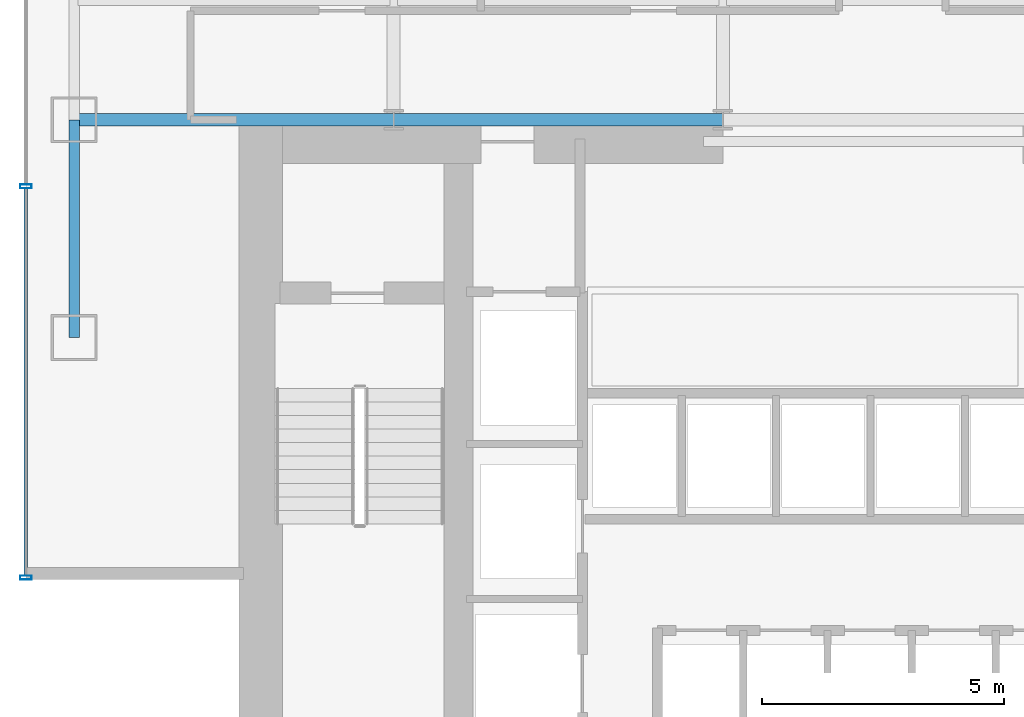
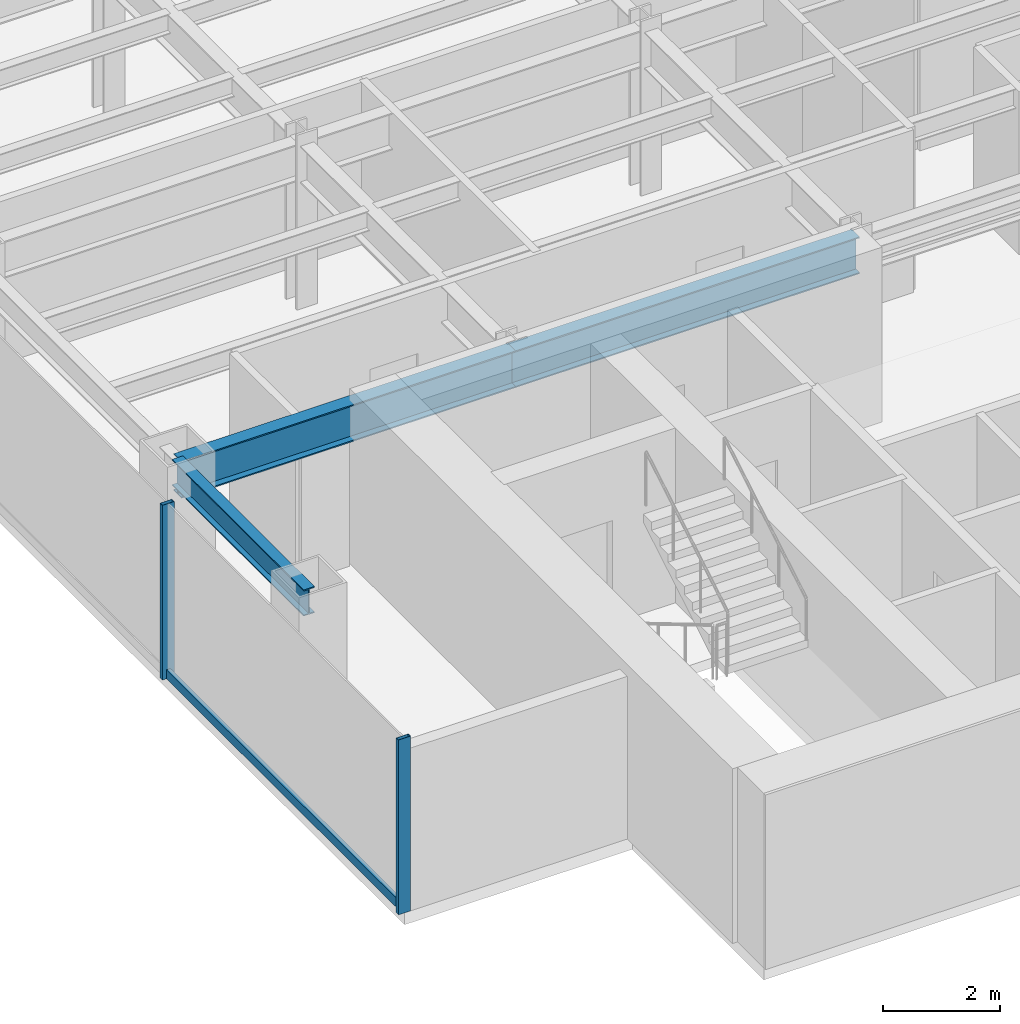
# One storey, part 2 of 22: 3 beams, 3 members, 1 element without a shape of its own.
"""IFC4 building model written with IfcOpenShell, lengths in metres."""

from ifc_helpers import new_model, si_unit, derived_unit, direction, frame, origin, origin_2d, place, context, subcontext, project, spatial, hollow_rectangle, i_section, extrude, source, transform, mapped, material, material_profile, profile_set, type_object, element, aggregate, save


model = new_model("IFC4")

# Units and contexts
model_context = context("Model", 3, precision=1e-05, world=origin(), true_north=direction((0.0, 1.0)))
body_context = subcontext(model_context, "Body", "Model", "MODEL_VIEW")
ifc_project = project(units=[si_unit("LENGTHUNIT", "METRE"), si_unit("AREAUNIT", "SQUARE_METRE"), si_unit("VOLUMEUNIT", "CUBIC_METRE"), si_unit("PLANEANGLEUNIT", "RADIAN"), si_unit("MASSUNIT", "GRAM", prefix="KILO"), derived_unit("THERMALTRANSMITTANCEUNIT", [(si_unit("POWERUNIT", "WATT"), 1), (si_unit("LENGTHUNIT", "METRE"), -2), (si_unit("THERMODYNAMICTEMPERATUREUNIT", "KELVIN"), -1)])], contexts=[model_context])

# Site, building, storey
site_placement = place(None, origin())
site = spatial("IfcSite", under=ifc_project, at=site_placement, CompositionType="ELEMENT")
building_placement = place(site_placement, origin())
building = spatial("IfcBuilding", under=site, at=building_placement, Name="Skarnbrae Concourse Arena and Tower", CompositionType="ELEMENT")
storey_placement = place(building_placement, frame((0.0, 0.0, 58.050048828125)))
storey = spatial("IfcBuildingStorey", under=building, at=storey_placement, Name="L13", CompositionType="ELEMENT", Elevation=58.050048828125)

# Beams
ifc_material_1 = material(Name="Steel CSA G40.21 350W", Category="steel")
ifc_material_profile_1 = material_profile(ifc_material_1, i_section(OverallWidth=0.26806640625, OverallDepth=0.77001953125, WebThickness=0.015625, FlangeThickness=0.025390625, at=origin_2d()), Name="W760X196")
ifc_profile_set_1 = profile_set([ifc_material_profile_1], Name="Steel CSA G40.21 350W")
beam_type_1 = type_object("IfcBeamType", Name="BM-GIRD-W760X196", PredefinedType="BEAM", material=ifc_profile_set_1)
shared_shape_1 = source(origin(), body_context, "Body", "SweptSolid", [
    extrude(i_section(OverallWidth=0.26806640625, OverallDepth=0.77001953125, WebThickness=0.015625, FlangeThickness=0.025390625, at=origin_2d()), origin(), (0.0, 0.0, 1.0), 6.60009765625),
])
beam_1_placement = place(storey_placement, frame((1.0, 14.0, 3.014892578125), z_axis=(1.0, 0.0, 0.0), x_axis=(0.0, 1.0, 0.0)))
element("IfcBeam", 1, at=beam_1_placement, inside=storey, type_object=beam_type_1, Name="L13 Primary E-W girder Y14.0-1", PredefinedType="BEAM", context=body_context, shape_type="MappedRepresentation", body=[
    mapped(shared_shape_1, transform((0.0, 0.0, 0.0))),
])
shared_shape_2 = source(origin(), body_context, "Body", "SweptSolid", [
    extrude(i_section(OverallWidth=0.26806640625, OverallDepth=0.77001953125, WebThickness=0.015625, FlangeThickness=0.025390625, at=origin_2d()), origin(), (0.0, 0.0, 1.0), 6.7998046875),
])
beam_2_placement = place(storey_placement, frame((7.60009765625, 14.0, 3.014892578125), z_axis=(1.0, 0.0, 0.0), x_axis=(0.0, 1.0, 0.0)))
element("IfcBeam", 2, at=beam_2_placement, inside=storey, type_object=beam_type_1, Name="L13 Primary E-W girder Y14.0-2", PredefinedType="BEAM", context=body_context, shape_type="MappedRepresentation", body=[
    mapped(shared_shape_2, transform((0.0, 0.0, 0.0))),
])
ifc_material_profile_2 = material_profile(ifc_material_1, i_section(OverallWidth=0.214111328125, OverallDepth=0.549072265625, WebThickness=0.0146484375, FlangeThickness=0.023681640625, at=origin_2d()), Name="W530X138")
ifc_profile_set_2 = profile_set([ifc_material_profile_2], Name="Steel CSA G40.21 350W")
beam_type_2 = type_object("IfcBeamType", Name="BM-SPAN-W530X138", PredefinedType="SPANDREL", material=ifc_profile_set_2)
shared_shape_3 = source(origin(), body_context, "Body", "SweptSolid", [
    extrude(i_section(OverallWidth=0.214111328125, OverallDepth=0.549072265625, WebThickness=0.0146484375, FlangeThickness=0.023681640625, at=origin_2d()), origin(), (0.0, 0.0, 1.0), 4.5),
])
beam_3_placement = place(storey_placement, frame((1.0, 9.5, 3.12548828125), z_axis=(0.0, 1.0, 0.0), x_axis=(-1.0, 0.0, 0.0)))
element("IfcBeam", 3, at=beam_3_placement, inside=storey, type_object=beam_type_2, Name="L13 Perimeter spandrel X1.0-1", PredefinedType="SPANDREL", context=body_context, shape_type="MappedRepresentation", body=[
    mapped(shared_shape_3, transform((0.0, 0.0, 0.0))),
])

# Curtain wall, members
ifc_material_2 = material(Name="Bronze anodised aluminium 6063-T6", Category="aluminium")
curtain_wall_type = type_object("IfcCurtainWallType", Name="CW-SYS-02-LOWZONE", PredefinedType="USERDEFINED", material=ifc_material_2)
curtain_wall_placement = place(storey_placement, origin())
curtain_wall = element("IfcCurtainWall", 4, at=curtain_wall_placement, inside=storey, type_object=curtain_wall_type, Name="L13 Unitised curtain wall CW-L13-E19", ObjectType="UNITISED CURTAIN WALL", PredefinedType="USERDEFINED")
ifc_material_profile_3 = material_profile(ifc_material_2, hollow_rectangle(XDim=0.080078125, YDim=0.239990234375, WallThickness=0.0048828125, at=origin_2d()), Name="ALU-MULL-80X240")
ifc_profile_set_3 = profile_set([ifc_material_profile_3], Name="Bronze anodised aluminium 6063-T6")
member_type_1 = type_object("IfcMemberType", Name="CWM-CW-02", PredefinedType="MULLION", material=ifc_profile_set_3)
shared_shape_4 = source(origin(), body_context, "Body", "SweptSolid", [
    extrude(hollow_rectangle(XDim=0.080078125, YDim=0.239990234375, WallThickness=0.0048828125, at=origin_2d()), origin(), (0.0, 0.0, 1.0), 3.64990234375),
])
member_1_placement = place(storey_placement, frame((0.0, 12.625, 0.0), z_axis=(0.0, 0.0, 1.0), x_axis=(0.0, -1.0, 0.0)))
member_1 = element("IfcMember", 5, at=member_1_placement, type_object=member_type_1, Name="CW-L13-E19 Mullion 4", PredefinedType="MULLION", context=body_context, shape_type="MappedRepresentation", body=[
    mapped(shared_shape_4, transform((0.0, 0.0, 0.0))),
])
member_2_placement = place(storey_placement, frame((0.0, 4.5400390625, 0.0), z_axis=(0.0, 0.0, 1.0), x_axis=(0.0, -1.0, 0.0)))
member_2 = element("IfcMember", 6, at=member_2_placement, type_object=member_type_1, Name="CW-L13-E19 Mullion 5", PredefinedType="MULLION", context=body_context, shape_type="MappedRepresentation", body=[
    mapped(shared_shape_4, transform((0.0, 0.0, 0.0))),
])
ifc_material_profile_4 = material_profile(ifc_material_2, hollow_rectangle(XDim=0.080078125, YDim=0.18994140625, WallThickness=0.0048828125, at=origin_2d()), Name="ALU-TRAN-80X190")
ifc_profile_set_4 = profile_set([ifc_material_profile_4], Name="Bronze anodised aluminium 6063-T6")
member_type_2 = type_object("IfcMemberType", Name="CWT-CW-02", PredefinedType="USERDEFINED", material=ifc_profile_set_4)
shared_shape_5 = source(origin(), body_context, "Body", "SweptSolid", [
    extrude(hollow_rectangle(XDim=0.080078125, YDim=0.18994140625, WallThickness=0.0048828125, at=origin_2d()), origin(), (0.0, 0.0, 1.0), 8.0048828125),
])
member_3_placement = place(storey_placement, frame((0.0, 12.5849609375, 0.094970703125), z_axis=(0.0, -1.0, 0.0), x_axis=(1.0, 0.0, 0.0)))
member_3 = element("IfcMember", 7, at=member_3_placement, type_object=member_type_2, Name="CW-L13-E19 Transom 4", ObjectType="TRANSOM", PredefinedType="USERDEFINED", context=body_context, shape_type="MappedRepresentation", body=[
    mapped(shared_shape_5, transform((0.0, 0.0, 0.0))),
])
aggregate(curtain_wall, [member_1, member_2, member_3])

save(model, "model.ifc")
